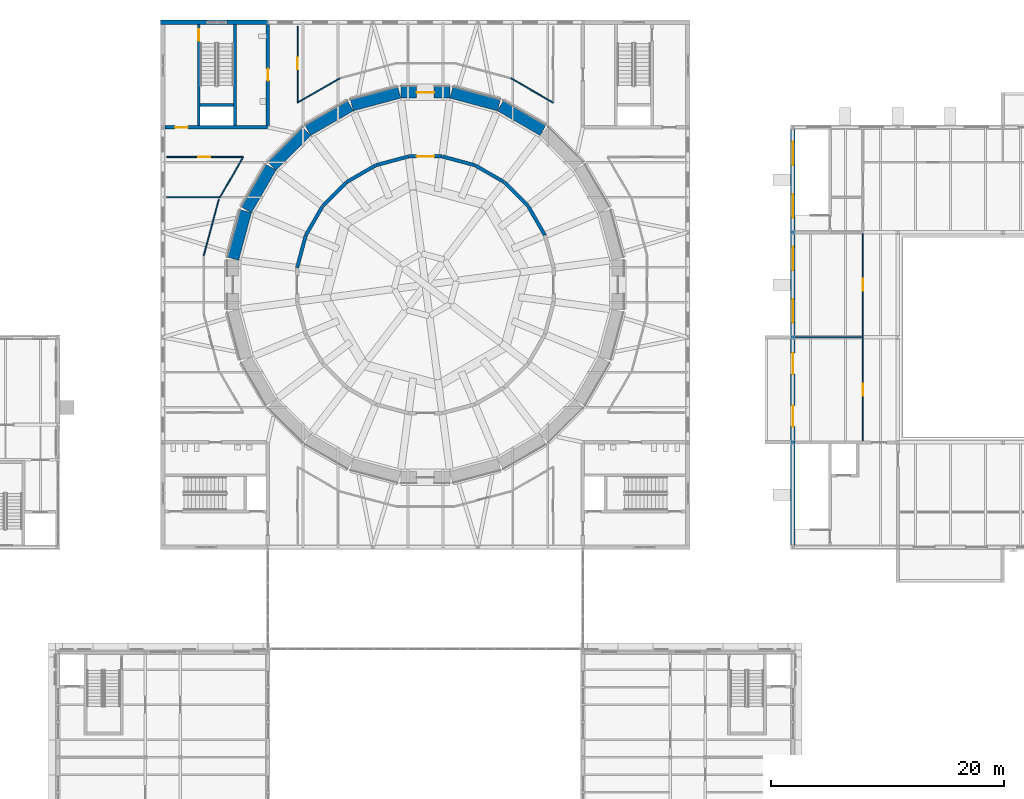
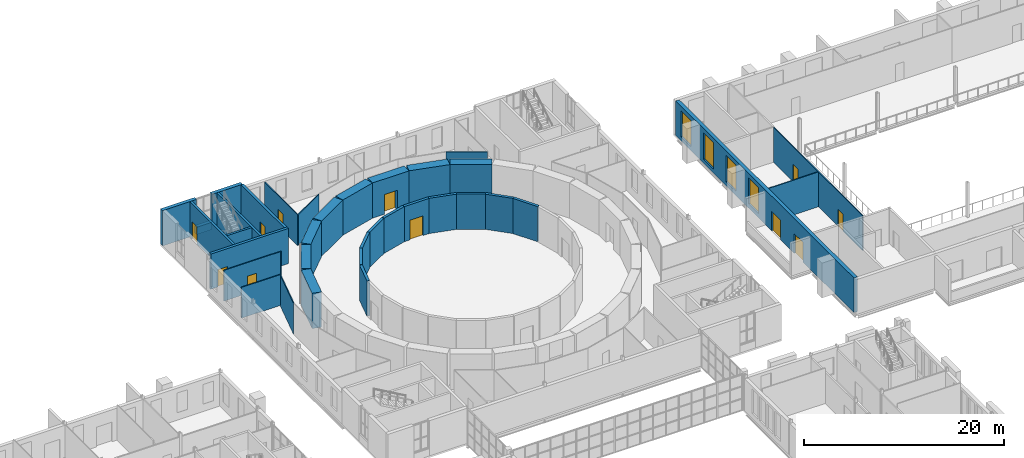
# One storey, part 87 of 131: 36 walls, 11 doors, 4 windows, 15 openings.
"""IFC4 building model written with IfcOpenShell, lengths in metres."""

import ifcopenshell
import ifcopenshell.guid

model = None  # the IFC model being written
_history = None  # IfcOwnerHistory: only IFC2X3 demands one
_inside = {}  # id of a spatial element -> (the spatial element, [elements in it])
_under = {}  # id of a project, library or spatial element -> (it, [spatial elements below it])
_declared = {}  # id of a project -> (the project, [libraries it declares])
_typed = {}  # id of a type object -> (the type object, [elements of that type])
_made_of = {}  # id of a material, layer set ... -> (it, [elements and type objects made of it])


def new_model(schema):
    """Start an empty IFC model of exactly this schema.

    Asked for "IFC4X3", IfcOpenShell would pick the latest addendum, in which some entities
    have other attributes; the version numbers below select the first issue.
    IFC2X3 requires an IfcOwnerHistory on every rooted entity: one is made here for all.
    """
    global model, _history
    if schema == "IFC4X3":
        model = ifcopenshell.file(schema_version=(4, 3, 0, 0))
    else:
        model = ifcopenshell.file(schema=schema)
    _inside.clear()
    _under.clear()
    _declared.clear()
    _typed.clear()
    _made_of.clear()
    _history = None
    if model.schema == "IFC2X3":
        org = make("IfcOrganization", Name="unknown")
        user = make(
            "IfcPersonAndOrganization",
            ThePerson=make("IfcPerson", FamilyName="unknown"),
            TheOrganization=org,
        )
        app = make(
            "IfcApplication",
            ApplicationDeveloper=org,
            Version="unknown",
            ApplicationFullName="unknown",
            ApplicationIdentifier="unknown",
        )
        _history = make(
            "IfcOwnerHistory",
            OwningUser=user,
            OwningApplication=app,
            ChangeAction="ADDED",
            CreationDate=0,
        )
    return model


def make(cls, **values):
    """One entity of the class cls with the attributes given. An attribute that is None is left unset."""
    return model.create_entity(
        cls, **{name: value for name, value in values.items() if value is not None}
    )


def rooted(cls, **values):
    """An entity with a GlobalId (a new one), such as an element, a storey or a relation."""
    return make(cls, GlobalId=ifcopenshell.guid.new(), OwnerHistory=_history, **values)


def si_unit(unit_type, name, prefix=None):
    """IfcSIUnit, for example si_unit("LENGTHUNIT", "METRE", prefix="MILLI")."""
    return make("IfcSIUnit", UnitType=unit_type, Prefix=prefix, Name=name)


def assignment(units):
    """IfcUnitAssignment: the units of a project."""
    return None if units is None else make("IfcUnitAssignment", Units=units)


def point(xyz):
    """IfcCartesianPoint."""
    return None if xyz is None else make("IfcCartesianPoint", Coordinates=xyz)


def direction(xyz):
    """IfcDirection."""
    return None if xyz is None else make("IfcDirection", DirectionRatios=xyz)


def frame(location, z_axis=None, x_axis=None):
    """IfcAxis2Placement3D, a coordinate frame: its origin and axes. An axis left out is left unset."""
    return make(
        "IfcAxis2Placement3D",
        Location=point(location),
        Axis=direction(z_axis),
        RefDirection=direction(x_axis),
    )


def frame_2d(location, x_axis=None):
    """IfcAxis2Placement2D, a coordinate frame in the plane: its origin and x axis."""
    return make(
        "IfcAxis2Placement2D", Location=point(location), RefDirection=direction(x_axis)
    )


def origin():
    """The frame at (0, 0, 0) with its axes left unset."""
    return frame((0.0, 0.0, 0.0))


def place(relative_to, where):
    """IfcLocalPlacement: puts the frame where relative to a parent placement (None: the world)."""
    return make(
        "IfcLocalPlacement", PlacementRelTo=relative_to, RelativePlacement=where
    )


def context(
    kind, dimensions, precision=None, world=None, true_north=None, identifier=None
):
    """IfcGeometricRepresentationContext, for example the 3D "Model" context."""
    return make(
        "IfcGeometricRepresentationContext",
        ContextIdentifier=identifier,
        ContextType=kind,
        CoordinateSpaceDimension=dimensions,
        Precision=precision,
        WorldCoordinateSystem=world,
        TrueNorth=true_north,
    )


def subcontext(parent, identifier, kind, view, scale=None):
    """IfcGeometricRepresentationSubContext, for example "Body" below "Model"."""
    return make(
        "IfcGeometricRepresentationSubContext",
        ContextIdentifier=identifier,
        ContextType=kind,
        ParentContext=parent,
        TargetScale=scale,
        TargetView=view,
    )


def project(units=None, contexts=None):
    """IfcProject with its units and contexts."""
    return rooted(
        "IfcProject",
        Name="project",
        RepresentationContexts=contexts,
        UnitsInContext=assignment(units),
    )


def spatial(cls, under=None, at=None, **own):
    """A site, building, storey or space (cls), placed at a placement, below another one or the project."""
    s = rooted(cls, ObjectPlacement=at, **own)
    if under is not None:
        _under.setdefault(under.id(), (under, []))[1].append(s)
    return s


def profile(cls, at=None, kind="AREA", **sizes):
    """A parametric profile (cls). Its sizes go by their IFC names, for example OverallWidth=200.0."""
    return make(cls, ProfileType=kind, Position=at, **sizes)


def rectangle(**sizes):
    """IfcRectangleProfileDef."""
    return profile("IfcRectangleProfileDef", **sizes)


def extrude(swept, where, along, depth):
    """IfcExtrudedAreaSolid: the profile swept, set in the frame where, extruded along a direction by depth."""
    return make(
        "IfcExtrudedAreaSolid",
        SweptArea=swept,
        Position=where,
        ExtrudedDirection=direction(along),
        Depth=depth,
    )


def shape(context_of_items, identifier, shape_type, items):
    """IfcShapeRepresentation: the items that make up one representation, for example the "Body"."""
    return make(
        "IfcShapeRepresentation",
        ContextOfItems=context_of_items,
        RepresentationIdentifier=identifier,
        RepresentationType=shape_type,
        Items=items,
    )


def material(Name=None, Category=None):
    """IfcMaterial."""
    return make("IfcMaterial", Name=Name, Category=Category)


def layer(
    of_material, thickness, ventilated=None, Name=None, Category=None, Priority=None
):
    """IfcMaterialLayer: one layer of a wall or slab, of a material (None: an air gap)."""
    return make(
        "IfcMaterialLayer",
        Material=of_material,
        LayerThickness=thickness,
        IsVentilated=ventilated,
        Name=Name,
        Category=Category,
        Priority=Priority,
    )


def layer_set(layers, Name=None):
    """IfcMaterialLayerSet."""
    return make("IfcMaterialLayerSet", MaterialLayers=layers, LayerSetName=Name)


def made_of(thing, what):
    """Note that an element or type object is made of a material, layer set ...; save() writes the relation."""
    if what is not None:
        _made_of.setdefault(what.id(), (what, []))[1].append(thing)
    return thing


def type_object(cls, material=None, **own):
    """A type object (cls), such as IfcWallType, which elements share."""
    return made_of(rooted(cls, **own), material)


def element(
    cls,
    number,
    at=None,
    inside=None,
    cuts=None,
    type_object=None,
    material=None,
    context=None,
    identifier="Body",
    shape_type=None,
    held_by="IfcProductDefinitionShape",
    body=None,
    shapes=None,
    **own,
):
    """One element of the class cls, such as IfcWall. Its Tag is "e" and its number.

    at: its placement. inside: the storey or other place that contains it. cuts: it is an
    opening in that element (IfcRelVoidsElement). A single representation is given by context,
    identifier, shape_type and body (its items); several are given by shapes. held_by: the class
    of the entity that holds the representations. save() writes the other relations.
    """
    e = rooted(cls, Tag="e%d" % number, ObjectPlacement=at, **own)
    if body is not None:
        shapes = [shape(context, identifier, shape_type, body)]
    if shapes is not None:
        e.Representation = make(held_by, Representations=shapes)
    if inside is not None:
        _inside.setdefault(inside.id(), (inside, []))[1].append(e)
    if cuts is not None:
        rooted(
            "IfcRelVoidsElement", RelatingBuildingElement=cuts, RelatedOpeningElement=e
        )
    if type_object is not None:
        _typed.setdefault(type_object.id(), (type_object, []))[1].append(e)
    return made_of(e, material)


def fill(opening, filler):
    """IfcRelFillsElement: the door or window that sits in an opening."""
    return rooted(
        "IfcRelFillsElement",
        RelatingOpeningElement=opening,
        RelatedBuildingElement=filler,
    )


def aggregate(whole, parts):
    """IfcRelAggregates: a whole, such as a stair, and the parts it consists of."""
    return rooted("IfcRelAggregates", RelatingObject=whole, RelatedObjects=parts)


def save(model, path):
    """Write the relations noted so far, then the file.

    IfcRelAggregates (storeys below a building ...), IfcRelContainedInSpatialStructure (elements
    in a storey), IfcRelDefinesByType, IfcRelAssociatesMaterial and IfcRelDeclares: one each for
    every whole, place, type object, material and project.
    """
    for whole, parts in _under.values():
        aggregate(whole, parts)
    for where, things in _inside.values():
        rooted(
            "IfcRelContainedInSpatialStructure",
            RelatedElements=things,
            RelatingStructure=where,
        )
    for kind, things in _typed.values():
        rooted("IfcRelDefinesByType", RelatedObjects=things, RelatingType=kind)
    for what, things in _made_of.values():
        rooted("IfcRelAssociatesMaterial", RelatedObjects=things, RelatingMaterial=what)
    for by, libraries in _declared.values():
        rooted("IfcRelDeclares", RelatingContext=by, RelatedDefinitions=libraries)
    model.write(path)


model = new_model("IFC4")

# Units and contexts
model_context = context("Model", 3, precision=1e-05, world=origin(), true_north=direction((0.0, 1.0)))
body_context = subcontext(model_context, "Body", "Model", "MODEL_VIEW")
ifc_project = project(units=[si_unit("LENGTHUNIT", "METRE"), si_unit("AREAUNIT", "SQUARE_METRE"), si_unit("VOLUMEUNIT", "CUBIC_METRE"), si_unit("PLANEANGLEUNIT", "RADIAN"), si_unit("MASSUNIT", "GRAM", prefix="KILO")], contexts=[model_context])

# Site, building, storey
site_placement = place(None, origin())
site = spatial("IfcSite", under=ifc_project, at=site_placement, CompositionType="ELEMENT")
building_placement = place(site_placement, origin())
building = spatial("IfcBuilding", under=site, at=building_placement, Name="Golden Quay Civic Hall", CompositionType="ELEMENT")
storey_placement = place(building_placement, frame((0.0, 0.0, 9.89990234375)))
storey = spatial("IfcBuildingStorey", under=building, at=storey_placement, Name="L02", CompositionType="ELEMENT", Elevation=9.89990234375)

# Wall, openings, doors, windows
ifc_material_1 = material(Name="Brick, dark clay facing", Category="masonry")
ifc_layer_1 = layer(ifc_material_1, 0.39990234375)
ifc_layer_set_1 = layer_set([ifc_layer_1], Name="Brick external wall 400 fire EI 120")
wall_type_1 = type_object("IfcWallType", Name="Brick external wall 400 fire EI 120", PredefinedType="STANDARD", material=ifc_layer_set_1)
wall_1_placement = place(storey_placement, frame((117.0, 63.199951171875, 0.0), z_axis=(0.0, 0.0, 1.0), x_axis=(0.0, 1.0, 0.0)))
wall_1 = element("IfcWall", 1, at=wall_1_placement, inside=storey, type_object=wall_type_1, Name="L02 external wall W", PredefinedType="STANDARD", context=body_context, shape_type="SweptSolid", body=[
    extrude(rectangle(XDim=35.60009765625, YDim=0.39990234375, at=frame_2d((17.800048828125, 0.0))), origin(), (0.0, 0.0, 1.0), 4.25),
])
opening_1_placement = place(wall_1_placement, frame((19.050048828125, 0.0, 0.5)))
opening_1 = element("IfcOpeningElement", 2, at=opening_1_placement, cuts=wall_1, Name="Opening WN19", PredefinedType="OPENING", context=body_context, shape_type="SweptSolid", body=[
    extrude(rectangle(XDim=2.0, YDim=3.199951171875, at=frame_2d((1.0, 1.60009765625))), frame((0.0, 0.2099609375, 0.0), z_axis=(0.0, -1.0, 0.0), x_axis=(1.0, 0.0, 0.0)), (0.0, 0.0, 1.0), 0.419921875),
])
opening_2_placement = place(wall_1_placement, frame((23.550048828125, 0.0, 0.5)))
opening_2 = element("IfcOpeningElement", 3, at=opening_2_placement, cuts=wall_1, Name="Opening WN19", PredefinedType="OPENING", context=body_context, shape_type="SweptSolid", body=[
    extrude(rectangle(XDim=2.0, YDim=3.199951171875, at=frame_2d((1.0, 1.60009765625))), frame((0.0, 0.2099609375, 0.0), z_axis=(0.0, -1.0, 0.0), x_axis=(1.0, 0.0, 0.0)), (0.0, 0.0, 1.0), 0.419921875),
])
opening_3_placement = place(wall_1_placement, frame((28.050048828125, 0.0, 0.5)))
opening_3 = element("IfcOpeningElement", 4, at=opening_3_placement, cuts=wall_1, Name="Opening WN19", PredefinedType="OPENING", context=body_context, shape_type="SweptSolid", body=[
    extrude(rectangle(XDim=2.0, YDim=3.199951171875, at=frame_2d((1.0, 1.60009765625))), frame((0.0, 0.2099609375, 0.0), z_axis=(0.0, -1.0, 0.0), x_axis=(1.0, 0.0, 0.0)), (0.0, 0.0, 1.0), 0.419921875),
])
opening_4_placement = place(wall_1_placement, frame((32.550048828125, 0.0, 0.5)))
opening_4 = element("IfcOpeningElement", 5, at=opening_4_placement, cuts=wall_1, Name="Opening WN19", PredefinedType="OPENING", context=body_context, shape_type="SweptSolid", body=[
    extrude(rectangle(XDim=2.0, YDim=3.199951171875, at=frame_2d((1.0, 1.60009765625))), frame((0.0, 0.2099609375, 0.0), z_axis=(0.0, -1.0, 0.0), x_axis=(1.0, 0.0, 0.0)), (0.0, 0.0, 1.0), 0.419921875),
])
opening_5_placement = place(wall_1_placement, frame((10.14990234375, 0.0, 0.0)))
opening_5 = element("IfcOpeningElement", 6, at=opening_5_placement, cuts=wall_1, Name="Opening L02-D020", PredefinedType="OPENING", context=body_context, shape_type="SweptSolid", body=[
    extrude(rectangle(XDim=1.800048828125, YDim=2.39990234375, at=frame_2d((0.89990234375, 1.199951171875))), frame((0.0, 0.2099609375, 0.0), z_axis=(0.0, -1.0, 0.0), x_axis=(1.0, 0.0, 0.0)), (0.0, 0.0, 1.0), 0.419921875),
])
opening_6_placement = place(wall_1_placement, frame((14.64990234375, 0.0, 0.0)))
opening_6 = element("IfcOpeningElement", 7, at=opening_6_placement, cuts=wall_1, Name="Opening L02-D021", PredefinedType="OPENING", context=body_context, shape_type="SweptSolid", body=[
    extrude(rectangle(XDim=1.800048828125, YDim=2.39990234375, at=frame_2d((0.89990234375, 1.199951171875))), frame((0.0, 0.2099609375, 0.0), z_axis=(0.0, -1.0, 0.0), x_axis=(1.0, 0.0, 0.0)), (0.0, 0.0, 1.0), 0.419921875),
])
ifc_material_2 = material(Name="Aluminium frame, glazed", Category="aluminium")
door_type_1 = type_object("IfcDoorType", Name="Glazed double terrace door 1800 x 2400", OperationType="DOUBLE_DOOR_SINGLE_SWING", PredefinedType="DOOR", material=ifc_material_2)
door_1_placement = place(opening_5_placement, origin())
door_1 = element("IfcDoor", 8, at=door_1_placement, inside=storey, type_object=door_type_1, Name="Loggia door L02 W112", OperationType="DOUBLE_DOOR_SINGLE_SWING", OverallHeight=2.39990234375, OverallWidth=1.800048828125, PredefinedType="DOOR", context=body_context, shape_type="SweptSolid", body=[
    extrude(rectangle(XDim=1.800048828125, YDim=2.39990234375, at=frame_2d((0.89990234375, 1.199951171875))), frame((0.0, 0.02490234375, 0.0), z_axis=(0.0, -1.0, 0.0), x_axis=(1.0, 0.0, 0.0)), (0.0, 0.0, 1.0), 0.050048828125),
])
fill(opening_5, door_1)
door_2_placement = place(opening_6_placement, origin())
door_2 = element("IfcDoor", 9, at=door_2_placement, inside=storey, type_object=door_type_1, Name="Loggia door L02 W157", OperationType="DOUBLE_DOOR_SINGLE_SWING", OverallHeight=2.39990234375, OverallWidth=1.800048828125, PredefinedType="DOOR", context=body_context, shape_type="SweptSolid", body=[
    extrude(rectangle(XDim=1.800048828125, YDim=2.39990234375, at=frame_2d((0.89990234375, 1.199951171875))), frame((0.0, 0.02490234375, 0.0), z_axis=(0.0, -1.0, 0.0), x_axis=(1.0, 0.0, 0.0)), (0.0, 0.0, 1.0), 0.050048828125),
])
fill(opening_6, door_2)
ifc_material_3 = material(Name="Timber", Category="wood")
window_type = type_object("IfcWindowType", Name="Tall timber window 2000 x 3200", PartitioningType="SINGLE_PANEL", PredefinedType="WINDOW", material=ifc_material_3)
window_1_placement = place(opening_1_placement, origin())
window_1 = element("IfcWindow", 10, at=window_1_placement, inside=storey, type_object=window_type, Name="L02 window W202", OverallHeight=3.199951171875, OverallWidth=2.0, PartitioningType="SINGLE_PANEL", PredefinedType="WINDOW", context=body_context, shape_type="SweptSolid", body=[
    extrude(rectangle(XDim=2.0, YDim=3.199951171875, at=frame_2d((1.0, 1.60009765625))), frame((0.0, 0.030029296875, 0.0), z_axis=(0.0, -1.0, 0.0), x_axis=(1.0, 0.0, 0.0)), (0.0, 0.0, 1.0), 0.06005859375),
])
fill(opening_1, window_1)
window_2_placement = place(opening_2_placement, origin())
window_2 = element("IfcWindow", 11, at=window_2_placement, inside=storey, type_object=window_type, Name="L02 window W247", OverallHeight=3.199951171875, OverallWidth=2.0, PartitioningType="SINGLE_PANEL", PredefinedType="WINDOW", context=body_context, shape_type="SweptSolid", body=[
    extrude(rectangle(XDim=2.0, YDim=3.199951171875, at=frame_2d((1.0, 1.60009765625))), frame((0.0, 0.030029296875, 0.0), z_axis=(0.0, -1.0, 0.0), x_axis=(1.0, 0.0, 0.0)), (0.0, 0.0, 1.0), 0.06005859375),
])
fill(opening_2, window_2)
window_3_placement = place(opening_3_placement, origin())
window_3 = element("IfcWindow", 12, at=window_3_placement, inside=storey, type_object=window_type, Name="L02 window W292", OverallHeight=3.199951171875, OverallWidth=2.0, PartitioningType="SINGLE_PANEL", PredefinedType="WINDOW", context=body_context, shape_type="SweptSolid", body=[
    extrude(rectangle(XDim=2.0, YDim=3.199951171875, at=frame_2d((1.0, 1.60009765625))), frame((0.0, 0.030029296875, 0.0), z_axis=(0.0, -1.0, 0.0), x_axis=(1.0, 0.0, 0.0)), (0.0, 0.0, 1.0), 0.06005859375),
])
fill(opening_3, window_3)
window_4_placement = place(opening_4_placement, origin())
window_4 = element("IfcWindow", 13, at=window_4_placement, inside=storey, type_object=window_type, Name="L02 window W337", OverallHeight=3.199951171875, OverallWidth=2.0, PartitioningType="SINGLE_PANEL", PredefinedType="WINDOW", context=body_context, shape_type="SweptSolid", body=[
    extrude(rectangle(XDim=2.0, YDim=3.199951171875, at=frame_2d((1.0, 1.60009765625))), frame((0.0, 0.030029296875, 0.0), z_axis=(0.0, -1.0, 0.0), x_axis=(1.0, 0.0, 0.0)), (0.0, 0.0, 1.0), 0.06005859375),
])
fill(opening_4, window_4)

# Walls
ifc_material_4 = material(Name="Plasterboard on steel studs", Category="steel")
ifc_layer_2 = layer(ifc_material_4, 0.10009765625)
ifc_layer_set_2 = layer_set([ifc_layer_2], Name="Partition 100 stud")
wall_type_2 = type_object("IfcWallType", Name="Partition 100 stud", PredefinedType="PARTITIONING", material=ifc_layer_set_2)
wall_2_placement = place(storey_placement, frame((67.890869140625, 93.0, 0.0), z_axis=(0.0, 0.0, 1.0), x_axis=(-1.0, 0.0, 0.0)))
element("IfcWall", 14, at=wall_2_placement, inside=storey, type_object=wall_type_2, Name="Partition 13", PredefinedType="PARTITIONING", context=body_context, shape_type="SweptSolid", body=[
    extrude(rectangle(XDim=4.57080078125, YDim=0.10009765625, at=frame_2d((2.285400390625, 0.0))), origin(), (0.0, 0.0, 1.0), 3.760009765625),
])
wall_3_placement = place(storey_placement, frame((117.199951171875, 81.0, 0.0), z_axis=(0.0, 0.0, 1.0), x_axis=(1.0, 0.0, 0.0)))
element("IfcWall", 15, at=wall_3_placement, inside=storey, type_object=wall_type_2, Name="L02 partition H18-0.20", PredefinedType="PARTITIONING", context=body_context, shape_type="SweptSolid", body=[
    extrude(rectangle(XDim=5.75, YDim=0.10009765625, at=frame_2d((2.875, 0.0))), origin(), (0.0, 0.0, 1.0), 4.25),
])

# Wall, openings, doors
wall_4_placement = place(storey_placement, frame((123.0, 72.125, 0.0), z_axis=(0.0, 0.0, 1.0), x_axis=(0.0, 1.0, 0.0)))
wall_4 = element("IfcWall", 16, at=wall_4_placement, inside=storey, type_object=wall_type_2, Name="L02 partition V6-9.12", PredefinedType="PARTITIONING", context=body_context, shape_type="SweptSolid", body=[
    extrude(rectangle(XDim=17.800048828125, YDim=0.10009765625, at=frame_2d((8.89990234375, 0.0))), origin(), (0.0, 0.0, 1.0), 4.25),
])
opening_7_placement = place(wall_4_placement, frame((3.875, 0.0, 0.0)))
opening_7 = element("IfcOpeningElement", 17, at=opening_7_placement, cuts=wall_4, Name="Opening L02-D197", PredefinedType="OPENING", context=body_context, shape_type="SweptSolid", body=[
    extrude(rectangle(XDim=1.0, YDim=2.10009765625, at=frame_2d((0.5, 1.050048828125))), frame((0.0, 0.06005859375, 0.0), z_axis=(0.0, -1.0, 0.0), x_axis=(1.0, 0.0, 0.0)), (0.0, 0.0, 1.0), 0.1201171875),
])
opening_8_placement = place(wall_4_placement, frame((12.875, 0.0, 0.0)))
opening_8 = element("IfcOpeningElement", 18, at=opening_8_placement, cuts=wall_4, Name="Opening L02-D198", PredefinedType="OPENING", context=body_context, shape_type="SweptSolid", body=[
    extrude(rectangle(XDim=1.0, YDim=2.10009765625, at=frame_2d((0.5, 1.050048828125))), frame((0.0, 0.06005859375, 0.0), z_axis=(0.0, -1.0, 0.0), x_axis=(1.0, 0.0, 0.0)), (0.0, 0.0, 1.0), 0.1201171875),
])
ifc_material_5 = material(Name="Timber", Category="wood")
door_type_2 = type_object("IfcDoorType", Name="Timber door 1000 x 2100", OperationType="SINGLE_SWING_LEFT", PredefinedType="DOOR", material=ifc_material_5)
door_3_placement = place(opening_7_placement, origin())
door_3 = element("IfcDoor", 19, at=door_3_placement, inside=storey, type_object=door_type_2, Name="Study Room door", OperationType="SINGLE_SWING_LEFT", OverallHeight=2.10009765625, OverallWidth=1.0, PredefinedType="DOOR", context=body_context, shape_type="SweptSolid", body=[
    extrude(rectangle(XDim=1.0, YDim=2.10009765625, at=frame_2d((0.5, 1.050048828125))), frame((0.0, 0.02490234375, 0.0), z_axis=(0.0, -1.0, 0.0), x_axis=(1.0, 0.0, 0.0)), (0.0, 0.0, 1.0), 0.050048828125),
])
fill(opening_7, door_3)
door_4_placement = place(opening_8_placement, origin())
door_4 = element("IfcDoor", 20, at=door_4_placement, inside=storey, type_object=door_type_2, Name="Library Office door", OperationType="SINGLE_SWING_LEFT", OverallHeight=2.10009765625, OverallWidth=1.0, PredefinedType="DOOR", context=body_context, shape_type="SweptSolid", body=[
    extrude(rectangle(XDim=1.0, YDim=2.10009765625, at=frame_2d((0.5, 1.050048828125))), frame((0.0, 0.02490234375, 0.0), z_axis=(0.0, -1.0, 0.0), x_axis=(1.0, 0.0, 0.0)), (0.0, 0.0, 1.0), 0.050048828125),
])
fill(opening_8, door_4)

# Walls
ifc_material_6 = material(Name="Gypsum board on steel stud", Category="steel")
ifc_layer_3 = layer(ifc_material_6, 0.10009765625)
ifc_layer_set_3 = layer_set([ifc_layer_3], Name="Partition 100 stud fire EI 60")
wall_type_3 = type_object("IfcWallType", Name="Partition 100 stud fire EI 60", PredefinedType="PARTITIONING", material=ifc_layer_set_3)
wall_5_placement = place(storey_placement, frame((66.5, 88.00146484375, 0.0), z_axis=(0.0, 0.0, 1.0), x_axis=(0.258840974822, 0.965919949972, 0.0)))
element("IfcWall", 21, at=wall_5_placement, inside=storey, type_object=wall_type_3, Name="Partition 16", PredefinedType="PARTITIONING", context=body_context, shape_type="SweptSolid", body=[
    extrude(rectangle(XDim=5.002685546875, YDim=0.10009765625, at=frame_2d((2.50146484375, 0.0))), origin(), (0.0, 0.0, 1.0), 3.760009765625),
])
wall_6_placement = place(storey_placement, frame((67.87939453125, 92.97998046875, 0.0), z_axis=(0.0, 0.0, 1.0), x_axis=(0.500005512359, 0.866022221199, 0.0)))
element("IfcWall", 22, at=wall_6_placement, inside=storey, type_object=wall_type_3, Name="Partition 17", PredefinedType="PARTITIONING", context=body_context, shape_type="SweptSolid", body=[
    extrude(rectangle(XDim=4.0068359375, YDim=0.10009765625, at=frame_2d((2.00341796875, 0.0))), origin(), (0.0, 0.0, 1.0), 3.760009765625),
])

# Wall, opening, door
wall_7_placement = place(storey_placement, frame((69.8828125, 96.449951171875, 0.0), z_axis=(0.0, 0.0, 1.0), x_axis=(-1.0, 0.0, 0.0)))
wall_7 = element("IfcWall", 23, at=wall_7_placement, inside=storey, type_object=wall_type_3, Name="Partition 18", PredefinedType="PARTITIONING", context=body_context, shape_type="SweptSolid", body=[
    extrude(rectangle(XDim=6.562744140625, YDim=0.10009765625, at=frame_2d((3.28125, 0.0))), origin(), (0.0, 0.0, 1.0), 3.760009765625),
])
opening_9_placement = place(wall_7_placement, frame((2.84130859375, 0.0, 0.0)))
opening_9 = element("IfcOpeningElement", 24, at=opening_9_placement, cuts=wall_7, Name="Opening L02-D186", PredefinedType="OPENING", context=body_context, shape_type="SweptSolid", body=[
    extrude(rectangle(XDim=1.0, YDim=2.10009765625, at=frame_2d((0.5, 1.050048828125))), frame((0.0, 0.06005859375, 0.0), z_axis=(0.0, -1.0, 0.0), x_axis=(1.0, 0.0, 0.0)), (0.0, 0.0, 1.0), 0.1201171875),
])
ifc_material_7 = material(Name="Timber", Category="wood")
door_type_3 = type_object("IfcDoorType", Name="Timber fire door FD30S 1000 x 2100", OperationType="SINGLE_SWING_LEFT", PredefinedType="DOOR", material=ifc_material_7)
door_5_placement = place(opening_9_placement, origin())
door_5 = element("IfcDoor", 25, at=door_5_placement, inside=storey, type_object=door_type_3, Name="Door Members' Library Room", OperationType="SINGLE_SWING_LEFT", OverallHeight=2.10009765625, OverallWidth=1.0, PredefinedType="DOOR", context=body_context, shape_type="SweptSolid", body=[
    extrude(rectangle(XDim=1.0, YDim=2.10009765625, at=frame_2d((0.5, 1.050048828125))), frame((0.0, 0.02490234375, 0.0), z_axis=(0.0, -1.0, 0.0), x_axis=(1.0, 0.0, 0.0)), (0.0, 0.0, 1.0), 0.050048828125),
])
fill(opening_9, door_5)

wall_8_placement = place(storey_placement, frame((74.550048828125, 107.679931640625, 0.0), z_axis=(0.0, 0.0, 1.0), x_axis=(0.0, -1.0, 0.0)))
wall_8 = element("IfcWall", 26, at=wall_8_placement, inside=storey, type_object=wall_type_3, Name="Partition 20", PredefinedType="PARTITIONING", context=body_context, shape_type="SweptSolid", body=[
    extrude(rectangle(XDim=6.562744140625, YDim=0.10009765625, at=frame_2d((3.28125, 0.0))), origin(), (0.0, 0.0, 1.0), 3.760009765625),
])
opening_10_placement = place(wall_8_placement, frame((2.72119140625, 0.0, 0.0)))
opening_10 = element("IfcOpeningElement", 27, at=opening_10_placement, cuts=wall_8, Name="Opening L02-D187", PredefinedType="OPENING", context=body_context, shape_type="SweptSolid", body=[
    extrude(rectangle(XDim=1.0, YDim=2.10009765625, at=frame_2d((0.5, 1.050048828125))), frame((0.0, 0.06005859375, 0.0), z_axis=(0.0, -1.0, 0.0), x_axis=(1.0, 0.0, 0.0)), (0.0, 0.0, 1.0), 0.1201171875),
])
door_6_placement = place(opening_10_placement, origin())
door_6 = element("IfcDoor", 28, at=door_6_placement, inside=storey, type_object=door_type_3, Name="Door Clerks' Records Room", OperationType="SINGLE_SWING_LEFT", OverallHeight=2.10009765625, OverallWidth=1.0, PredefinedType="DOOR", context=body_context, shape_type="SweptSolid", body=[
    extrude(rectangle(XDim=1.0, YDim=2.10009765625, at=frame_2d((0.5, 1.050048828125))), frame((0.0, 0.02490234375, 0.0), z_axis=(0.0, -1.0, 0.0), x_axis=(1.0, 0.0, 0.0)), (0.0, 0.0, 1.0), 0.050048828125),
])
fill(opening_10, door_6)

# Walls
for number, where, z_axis, x_axis, name in (
    (29, (74.550048828125, 101.1171875, 0.0), (0.0, 0.0, 1.0), (0.866018117109, 0.50001262068, 0.0), "Partition 21"),
    (30, (92.833740234375, 103.205078125, 0.0), (0.0, 0.0, 1.0), (0.866018117109, -0.50001262068, 0.0), "Partition 26"),
):
    element("IfcWall", number, at=place(storey_placement, frame(where, z_axis=z_axis, x_axis=x_axis)), inside=storey, type_object=wall_type_3, Name=name, PredefinedType="PARTITIONING", context=body_context, shape_type="SweptSolid", body=[
        extrude(rectangle(XDim=4.17578125, YDim=0.10009765625, at=frame_2d((2.087890625, 0.0))), origin(), (0.0, 0.0, 1.0), 3.760009765625),
    ])
ifc_material_8 = material(Name="Concrete C40/50", Category="concrete")
ifc_layer_4 = layer(ifc_material_8, 0.300048828125)
ifc_layer_set_4 = layer_set([ifc_layer_4], Name="Reinforced concrete chamber wall 300, Concrete C40/50")
wall_type_4 = type_object("IfcWallType", Name="Reinforced concrete chamber wall 300", PredefinedType="SHEAR", material=ifc_layer_set_4)
wall_9_placement = place(storey_placement, frame((95.740478515625, 89.762939453125, 0.0), z_axis=(0.0, 0.0, 1.0), x_axis=(-0.500008484056, 0.866020505457, 0.0)))
element("IfcWall", 31, at=wall_9_placement, inside=storey, type_object=wall_type_4, Name="Chamber wall 2", PredefinedType="SHEAR", context=body_context, shape_type="SweptSolid", body=[
    extrude(rectangle(XDim=2.85693359375, YDim=0.300048828125, at=frame_2d((1.428466796875, 0.0))), origin(), (0.0, 0.0, 1.0), 4.300048828125),
])
wall_10_placement = place(storey_placement, frame((94.2880859375, 92.26806640625, 0.0), z_axis=(0.0, 0.0, 1.0), x_axis=(-0.707106781187, 0.707106781187, 0.0)))
element("IfcWall", 32, at=wall_10_placement, inside=storey, type_object=wall_type_4, Name="Chamber wall 3", PredefinedType="SHEAR", context=body_context, shape_type="SweptSolid", body=[
    extrude(rectangle(XDim=2.856689453125, YDim=0.300048828125, at=frame_2d((1.42822265625, 0.0))), origin(), (0.0, 0.0, 1.0), 4.300048828125),
])
for number, where, z_axis, x_axis, name in (
    (33, (92.237060546875, 94.31201171875, 0.0), (0.0, 0.0, 1.0), (-0.866020505457, 0.500008484056, 0.0), "Chamber wall 4"),
    (34, (89.726806640625, 95.755615234375, 0.0), (0.0, 0.0, 1.0), (-0.965939278785, 0.258768834483, 0.0), "Chamber wall 5"),
):
    element("IfcWall", number, at=place(storey_placement, frame(where, z_axis=z_axis, x_axis=x_axis)), inside=storey, type_object=wall_type_4, Name=name, PredefinedType="SHEAR", context=body_context, shape_type="SweptSolid", body=[
        extrude(rectangle(XDim=2.85693359375, YDim=0.300048828125, at=frame_2d((1.428466796875, 0.0))), origin(), (0.0, 0.0, 1.0), 4.300048828125),
    ])

# Wall, opening, door
wall_11_placement = place(storey_placement, frame((86.928466796875, 96.5, 0.0), z_axis=(0.0, 0.0, 1.0), x_axis=(-1.0, 0.0, 0.0)))
wall_11 = element("IfcWall", 35, at=wall_11_placement, inside=storey, type_object=wall_type_4, Name="Chamber wall 6", PredefinedType="SHEAR", context=body_context, shape_type="SweptSolid", body=[
    extrude(rectangle(XDim=2.85693359375, YDim=0.300048828125, at=frame_2d((1.428466796875, 0.0))), origin(), (0.0, 0.0, 1.0), 4.300048828125),
])
opening_11_placement = place(wall_11_placement, frame((0.678466796875, 0.0, 0.0)))
opening_11 = element("IfcOpeningElement", 36, at=opening_11_placement, cuts=wall_11, Name="Opening L02-D177", PredefinedType="OPENING", context=body_context, shape_type="SweptSolid", body=[
    extrude(rectangle(XDim=1.5, YDim=2.39990234375, at=frame_2d((0.75, 1.199951171875))), frame((0.0, 0.159912109375, 0.0), z_axis=(0.0, -1.0, 0.0), x_axis=(1.0, 0.0, 0.0)), (0.0, 0.0, 1.0), 0.320068359375),
])
ifc_material_9 = material(Name="Steel", Category="steel")
door_type_4 = type_object("IfcDoorType", Name="Steel double fire door FD60 1500 x 2400", OperationType="DOUBLE_DOOR_SINGLE_SWING", PredefinedType="DOOR", material=ifc_material_9)
door_7_placement = place(opening_11_placement, origin())
door_7 = element("IfcDoor", 37, at=door_7_placement, inside=storey, type_object=door_type_4, Name="Chamber door", OperationType="DOUBLE_DOOR_SINGLE_SWING", OverallHeight=2.39990234375, OverallWidth=1.5, PredefinedType="DOOR", context=body_context, shape_type="SweptSolid", body=[
    extrude(rectangle(XDim=1.5, YDim=2.39990234375, at=frame_2d((0.75, 1.199951171875))), frame((0.0, 0.02490234375, 0.0), z_axis=(0.0, -1.0, 0.0), x_axis=(1.0, 0.0, 0.0)), (0.0, 0.0, 1.0), 0.050048828125),
])
fill(opening_11, door_7)

# Walls
for number, where, z_axis, x_axis, name in (
    (38, (84.03271484375, 96.494873046875, 0.0), (0.0, 0.0, 1.0), (-0.965939278785, -0.258768834483, 0.0), "Chamber wall 7"),
    (39, (81.237060546875, 95.740478515625, 0.0), (0.0, 0.0, 1.0), (-0.866020505457, -0.500008484056, 0.0), "Chamber wall 8"),
):
    element("IfcWall", number, at=place(storey_placement, frame(where, z_axis=z_axis, x_axis=x_axis)), inside=storey, type_object=wall_type_4, Name=name, PredefinedType="SHEAR", context=body_context, shape_type="SweptSolid", body=[
        extrude(rectangle(XDim=2.85693359375, YDim=0.300048828125, at=frame_2d((1.428466796875, 0.0))), origin(), (0.0, 0.0, 1.0), 4.300048828125),
    ])
wall_12_placement = place(storey_placement, frame((78.73193359375, 94.2880859375, 0.0), z_axis=(0.0, 0.0, 1.0), x_axis=(-0.707106781187, -0.707106781187, 0.0)))
element("IfcWall", 40, at=wall_12_placement, inside=storey, type_object=wall_type_4, Name="Chamber wall 9", PredefinedType="SHEAR", context=body_context, shape_type="SweptSolid", body=[
    extrude(rectangle(XDim=2.856689453125, YDim=0.300048828125, at=frame_2d((1.42822265625, 0.0))), origin(), (0.0, 0.0, 1.0), 4.300048828125),
])
for number, where, z_axis, x_axis, name in (
    (41, (76.68798828125, 92.237060546875, 0.0), (0.0, 0.0, 1.0), (-0.500008484056, -0.866020505457, 0.0), "Chamber wall 10"),
    (42, (75.244384765625, 89.726806640625, 0.0), (0.0, 0.0, 1.0), (-0.258768834483, -0.965939278785, 0.0), "Chamber wall 11"),
):
    element("IfcWall", number, at=place(storey_placement, frame(where, z_axis=z_axis, x_axis=x_axis)), inside=storey, type_object=wall_type_4, Name=name, PredefinedType="SHEAR", context=body_context, shape_type="SweptSolid", body=[
        extrude(rectangle(XDim=2.85693359375, YDim=0.300048828125, at=frame_2d((1.428466796875, 0.0))), origin(), (0.0, 0.0, 1.0), 4.300048828125),
    ])

# Wall, opening, door
ifc_material_10 = material(Name="Concrete C40/50", Category="concrete")
ifc_layer_5 = layer(ifc_material_10, 0.300048828125)
ifc_layer_set_5 = layer_set([ifc_layer_5], Name="Reinforced concrete core wall 300, Concrete C40/50")
wall_type_5 = type_object("IfcWallType", Name="Reinforced concrete core wall 300", PredefinedType="SHEAR", material=ifc_layer_set_5)
wall_13_placement = place(storey_placement, frame((63.199951171875, 99.0, 0.0), z_axis=(0.0, 0.0, 1.0), x_axis=(1.0, 0.0, 0.0)))
wall_13 = element("IfcWall", 43, at=wall_13_placement, inside=storey, type_object=wall_type_5, Name="Core wall NW A", PredefinedType="SHEAR", context=body_context, shape_type="SweptSolid", body=[
    extrude(rectangle(XDim=8.949951171875, YDim=0.300048828125, at=frame_2d((4.47509765625, 0.0))), origin(), (0.0, 0.0, 1.0), 4.300048828125),
])
opening_12_placement = place(wall_13_placement, frame((0.85009765625, 0.0, 0.0)))
opening_12 = element("IfcOpeningElement", 44, at=opening_12_placement, cuts=wall_13, Name="Opening L02-D172", PredefinedType="OPENING", context=body_context, shape_type="SweptSolid", body=[
    extrude(rectangle(XDim=1.10009765625, YDim=2.10009765625, at=frame_2d((0.550048828125, 1.050048828125))), frame((0.0, 0.159912109375, 0.0), z_axis=(0.0, -1.0, 0.0), x_axis=(1.0, 0.0, 0.0)), (0.0, 0.0, 1.0), 0.320068359375),
])
ifc_material_11 = material(Name="Steel", Category="steel")
door_type_5 = type_object("IfcDoorType", Name="Steel fire door FD60 1100 x 2100", OperationType="SINGLE_SWING_LEFT", PredefinedType="DOOR", material=ifc_material_11)
door_8_placement = place(opening_12_placement, frame((1.10009765625, 0.0, 0.0), z_axis=(0.0, 0.0, 1.0), x_axis=(-1.0, 0.0, 0.0)))
door_8 = element("IfcDoor", 45, at=door_8_placement, inside=storey, type_object=door_type_5, Name="Core lobby door NW", OperationType="SINGLE_SWING_RIGHT", OverallHeight=2.10009765625, OverallWidth=1.10009765625, PredefinedType="DOOR", context=body_context, shape_type="SweptSolid", body=[
    extrude(rectangle(XDim=1.10009765625, YDim=2.10009765625, at=frame_2d((0.550048828125, 1.050048828125))), frame((0.0, 0.025146484375, 0.0), z_axis=(0.0, -1.0, 0.0), x_axis=(1.0, 0.0, 0.0)), (0.0, 0.0, 1.0), 0.050048828125),
])
fill(opening_12, door_8)

wall_14_placement = place(storey_placement, frame((72.0, 107.800048828125, 0.0), z_axis=(0.0, 0.0, 1.0), x_axis=(0.0, -1.0, 0.0)))
wall_14 = element("IfcWall", 46, at=wall_14_placement, inside=storey, type_object=wall_type_5, Name="Core wall NW B", PredefinedType="SHEAR", context=body_context, shape_type="SweptSolid", body=[
    extrude(rectangle(XDim=8.650146484375, YDim=0.300048828125, at=frame_2d((4.3251953125, 0.0))), origin(), (0.0, 0.0, 1.0), 4.300048828125),
])
opening_13_placement = place(wall_14_placement, frame((3.800048828125, 0.0, 0.0)))
opening_13 = element("IfcOpeningElement", 47, at=opening_13_placement, cuts=wall_14, Name="Opening L02-D173", PredefinedType="OPENING", context=body_context, shape_type="SweptSolid", body=[
    extrude(rectangle(XDim=1.0, YDim=2.10009765625, at=frame_2d((0.5, 1.050048828125))), frame((0.0, 0.159912109375, 0.0), z_axis=(0.0, -1.0, 0.0), x_axis=(1.0, 0.0, 0.0)), (0.0, 0.0, 1.0), 0.320068359375),
])
ifc_material_12 = material(Name="Steel", Category="steel")
door_type_6 = type_object("IfcDoorType", Name="Steel fire door FD60 1000 x 2100", OperationType="SINGLE_SWING_LEFT", PredefinedType="DOOR", material=ifc_material_12)
door_9_placement = place(opening_13_placement, frame((1.0, 0.0, 0.0), z_axis=(0.0, 0.0, 1.0), x_axis=(-1.0, 0.0, 0.0)))
door_9 = element("IfcDoor", 48, at=door_9_placement, inside=storey, type_object=door_type_6, Name="Service door NW", OperationType="SINGLE_SWING_RIGHT", OverallHeight=2.10009765625, OverallWidth=1.0, PredefinedType="DOOR", context=body_context, shape_type="SweptSolid", body=[
    extrude(rectangle(XDim=1.0, YDim=2.10009765625, at=frame_2d((0.5, 1.050048828125))), frame((0.0, 0.025146484375, 0.0), z_axis=(0.0, -1.0, 0.0), x_axis=(1.0, 0.0, 0.0)), (0.0, 0.0, 1.0), 0.050048828125),
])
fill(opening_13, door_9)

# Walls
ifc_material_13 = material(Name="Concrete C40/50", Category="concrete")
ifc_layer_6 = layer(ifc_material_13, 1.0)
ifc_layer_set_6 = layer_set([ifc_layer_6], Name="Reinforced concrete drum wall 1000, Concrete C40/50")
wall_type_6 = type_object("IfcWallType", Name="Reinforced concrete drum wall 1000", PredefinedType="SHEAR", material=ifc_layer_set_6)
for number, where, z_axis, x_axis, name in (
    (49, (95.57421875, 98.736083984375, 0.0), (0.0, 0.0, 1.0), (-0.866023457084, 0.500003371769, 0.0), "Council drum wall 4"),
    (50, (91.80517578125, 100.892578125, 0.0), (0.0, 0.0, 1.0), (-0.965928392597, 0.258809467323, 0.0), "Council drum wall 5"),
):
    element("IfcWall", number, at=place(storey_placement, frame(where, z_axis=z_axis, x_axis=x_axis)), inside=storey, type_object=wall_type_6, Name=name, PredefinedType="SHEAR", context=body_context, shape_type="SweptSolid", body=[
        extrude(rectangle(XDim=4.212890625, YDim=1.0, at=frame_2d((2.1064453125, 0.0))), origin(), (0.0, 0.0, 1.0), 4.300048828125),
    ])

# Wall, opening, door
wall_15_placement = place(storey_placement, frame((87.6064453125, 102.0, 0.0), z_axis=(0.0, 0.0, 1.0), x_axis=(-1.0, 0.0, 0.0)))
wall_15 = element("IfcWall", 51, at=wall_15_placement, inside=storey, type_object=wall_type_6, Name="Council drum wall 6", PredefinedType="SHEAR", context=body_context, shape_type="SweptSolid", body=[
    extrude(rectangle(XDim=4.212890625, YDim=1.0, at=frame_2d((2.1064453125, 0.0))), origin(), (0.0, 0.0, 1.0), 4.300048828125),
])
opening_14_placement = place(wall_15_placement, frame((1.3564453125, 0.0, 0.0)))
opening_14 = element("IfcOpeningElement", 52, at=opening_14_placement, cuts=wall_15, Name="Opening L02-D008", PredefinedType="OPENING", context=body_context, shape_type="SweptSolid", body=[
    extrude(rectangle(XDim=1.5, YDim=2.39990234375, at=frame_2d((0.75, 1.199951171875))), frame((0.0, 0.510009765625, 0.0), z_axis=(0.0, -1.0, 0.0), x_axis=(1.0, 0.0, 0.0)), (0.0, 0.0, 1.0), 1.02001953125),
])
ifc_material_14 = material(Name="Timber", Category="wood")
door_type_7 = type_object("IfcDoorType", Name="Timber chamber door 1500 x 2400", OperationType="DOUBLE_DOOR_SINGLE_SWING", PredefinedType="DOOR", material=ifc_material_14)
door_10_placement = place(opening_14_placement, origin())
door_10 = element("IfcDoor", 53, at=door_10_placement, inside=storey, type_object=door_type_7, Name="Chamber lobby door", OperationType="DOUBLE_DOOR_SINGLE_SWING", OverallHeight=2.39990234375, OverallWidth=1.5, PredefinedType="DOOR", context=body_context, shape_type="SweptSolid", body=[
    extrude(rectangle(XDim=1.5, YDim=2.39990234375, at=frame_2d((0.75, 1.199951171875))), frame((0.0, 0.02490234375, 0.0), z_axis=(0.0, -1.0, 0.0), x_axis=(1.0, 0.0, 0.0)), (0.0, 0.0, 1.0), 0.050048828125),
])
fill(opening_14, door_10)

# Walls
for number, where, z_axis, x_axis, name in (
    (54, (83.26416015625, 101.98291015625, 0.0), (0.0, 0.0, 1.0), (-0.965928392597, -0.258809467323, 0.0), "Council drum wall 7"),
    (55, (79.07421875, 100.842529296875, 0.0), (0.0, 0.0, 1.0), (-0.866023457084, -0.500003371769, 0.0), "Council drum wall 8"),
    (56, (75.322265625, 98.65673828125, 0.0), (0.0, 0.0, 1.0), (-0.707106781187, -0.707106781187, 0.0), "Council drum wall 9"),
    (57, (72.263916015625, 95.57421875, 0.0), (0.0, 0.0, 1.0), (-0.500003371769, -0.866023457084, 0.0), "Council drum wall 10"),
    (58, (70.107421875, 91.80517578125, 0.0), (0.0, 0.0, 1.0), (-0.258809467323, -0.965928392597, 0.0), "Council drum wall 11"),
):
    element("IfcWall", number, at=place(storey_placement, frame(where, z_axis=z_axis, x_axis=x_axis)), inside=storey, type_object=wall_type_6, Name=name, PredefinedType="SHEAR", context=body_context, shape_type="SweptSolid", body=[
        extrude(rectangle(XDim=4.212890625, YDim=1.0, at=frame_2d((2.1064453125, 0.0))), origin(), (0.0, 0.0, 1.0), 4.300048828125),
    ])

# Wall, opening, door
ifc_material_15 = material(Name="Concrete C40/50", Category="concrete")
ifc_layer_7 = layer(ifc_material_15, 0.25)
ifc_layer_set_7 = layer_set([ifc_layer_7], Name="Reinforced concrete shaft wall 250, Concrete C40/50")
wall_type_7 = type_object("IfcWallType", Name="Reinforced concrete shaft wall 250", PredefinedType="SHEAR", material=ifc_layer_set_7)
wall_16_placement = place(storey_placement, frame((66.074951171875, 107.800048828125, 0.0), z_axis=(0.0, 0.0, 1.0), x_axis=(0.0, -1.0, 0.0)))
wall_16 = element("IfcWall", 59, at=wall_16_placement, inside=storey, type_object=wall_type_7, Name="Shaft wall NW 1", PredefinedType="SHEAR", context=body_context, shape_type="SweptSolid", body=[
    extrude(rectangle(XDim=8.650146484375, YDim=0.25, at=frame_2d((4.3251953125, 0.0))), origin(), (0.0, 0.0, 1.0), 4.300048828125),
])
opening_15_placement = place(wall_16_placement, frame((0.39990234375, 0.0, 0.0)))
opening_15 = element("IfcOpeningElement", 60, at=opening_15_placement, cuts=wall_16, Name="Opening L02-D171", PredefinedType="OPENING", context=body_context, shape_type="SweptSolid", body=[
    extrude(rectangle(XDim=1.0, YDim=2.10009765625, at=frame_2d((0.5, 1.050048828125))), frame((0.0, 0.135009765625, 0.0), z_axis=(0.0, -1.0, 0.0), x_axis=(1.0, 0.0, 0.0)), (0.0, 0.0, 1.0), 0.27001953125),
])
door_11_placement = place(opening_15_placement, origin())
door_11 = element("IfcDoor", 61, at=door_11_placement, inside=storey, type_object=door_type_5, Name="Stair door NW", OperationType="SINGLE_SWING_LEFT", OverallHeight=2.10009765625, OverallWidth=1.0, PredefinedType="DOOR", context=body_context, shape_type="SweptSolid", body=[
    extrude(rectangle(XDim=1.0, YDim=2.10009765625, at=frame_2d((0.5, 1.050048828125))), frame((0.0, 0.02490234375, 0.0), z_axis=(0.0, -1.0, 0.0), x_axis=(1.0, 0.0, 0.0)), (0.0, 0.0, 1.0), 0.050048828125),
])
fill(opening_15, door_11)

# Walls
wall_17_placement = place(storey_placement, frame((69.175048828125, 107.800048828125, 0.0), z_axis=(0.0, 0.0, 1.0), x_axis=(0.0, -1.0, 0.0)))
element("IfcWall", 62, at=wall_17_placement, inside=storey, type_object=wall_type_7, Name="Shaft wall NW 2", PredefinedType="SHEAR", context=body_context, shape_type="SweptSolid", body=[
    extrude(rectangle(XDim=8.650146484375, YDim=0.25, at=frame_2d((4.3251953125, 0.0))), origin(), (0.0, 0.0, 1.0), 4.300048828125),
])
wall_18_placement = place(storey_placement, frame((66.199951171875, 100.925048828125, 0.0), z_axis=(0.0, 0.0, 1.0), x_axis=(1.0, 0.0, 0.0)))
element("IfcWall", 63, at=wall_18_placement, inside=storey, type_object=wall_type_7, Name="Shaft wall NW 3", PredefinedType="SHEAR", context=body_context, shape_type="SweptSolid", body=[
    extrude(rectangle(XDim=2.85009765625, YDim=0.25, at=frame_2d((1.425048828125, 0.0))), origin(), (0.0, 0.0, 1.0), 4.300048828125),
])
ifc_material_16 = material(Name="Brick masonry with render", Category="masonry")
ifc_layer_8 = layer(ifc_material_16, 0.39990234375)
ifc_layer_set_8 = layer_set([ifc_layer_8], Name="Rendered brick external wall 400 fire EI 120")
wall_type_8 = type_object("IfcWallType", Name="Rendered brick external wall 400 fire EI 120", PredefinedType="STANDARD", material=ifc_layer_set_8)
wall_19_placement = place(storey_placement, frame((62.800048828125, 108.0, 0.0), z_axis=(0.0, 0.0, 1.0), x_axis=(1.0, 0.0, 0.0)))
element("IfcWall", 64, at=wall_19_placement, inside=storey, type_object=wall_type_8, Name="Base wall N 62", PredefinedType="STANDARD", context=body_context, shape_type="SweptSolid", body=[
    extrude(rectangle(XDim=3.925048828125, YDim=0.39990234375, at=frame_2d((1.96240234375, 0.0))), origin(), (0.0, 0.0, 1.0), 4.300048828125),
])
wall_20_placement = place(storey_placement, frame((68.52490234375, 108.0, 0.0), z_axis=(0.0, 0.0, 1.0), x_axis=(1.0, 0.0, 0.0)))
element("IfcWall", 65, at=wall_20_placement, inside=storey, type_object=wall_type_8, Name="Base wall N 62 (beyond the bay)", PredefinedType="STANDARD", context=body_context, shape_type="SweptSolid", body=[
    extrude(rectangle(XDim=3.47509765625, YDim=0.39990234375, at=frame_2d((1.737548828125, 0.0))), origin(), (0.0, 0.0, 1.0), 4.300048828125),
])
wall_21_placement = place(storey_placement, frame((66.72509765625, 108.0, 0.0), z_axis=(0.0, 0.0, 1.0), x_axis=(1.0, 0.0, 0.0)))
element("IfcWall", 66, at=wall_21_placement, inside=storey, type_object=wall_type_8, Name="Base wall N 62 sill", PredefinedType="STANDARD", context=body_context, shape_type="SweptSolid", body=[
    extrude(rectangle(XDim=1.7998046875, YDim=0.39990234375, at=frame_2d((0.89990234375, 0.0))), origin(), (0.0, 0.0, 1.0), 0.900146484375),
])

save(model, "model.ifc")
